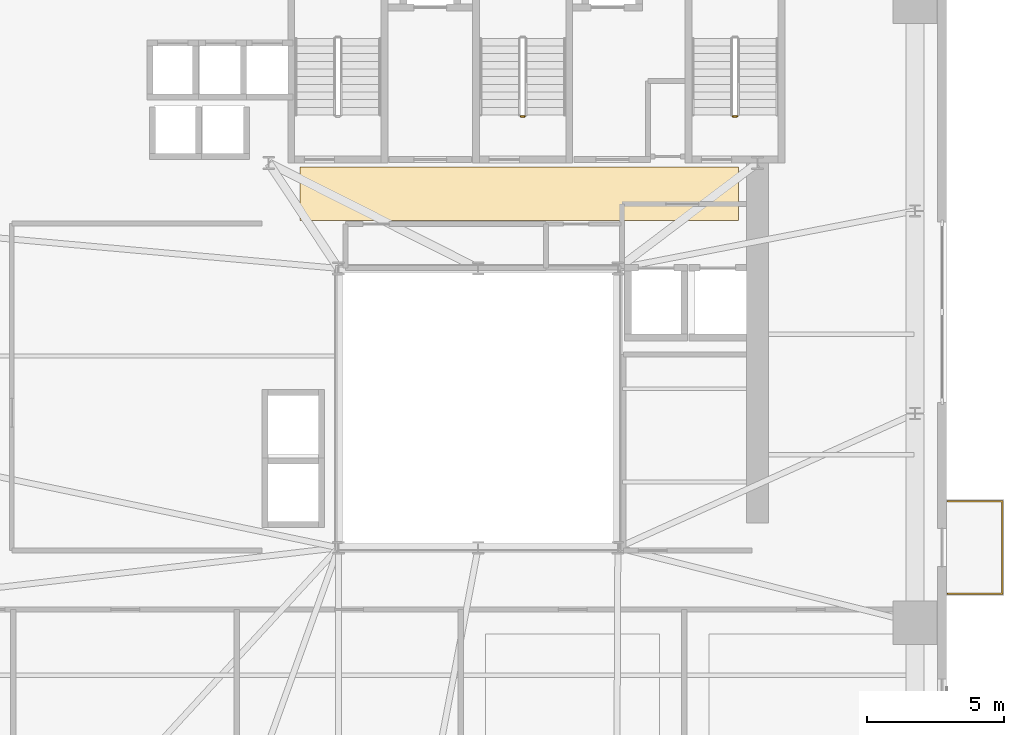
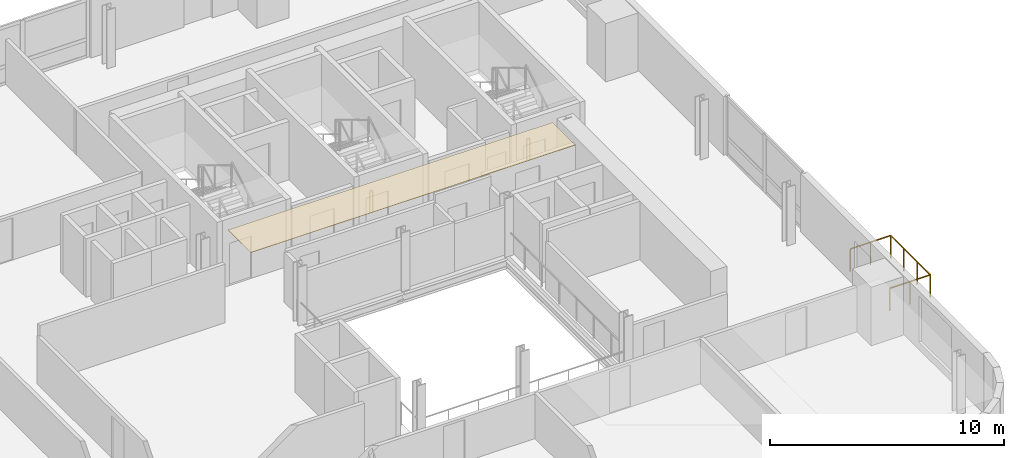
# One storey, part 12 of 14: 3 railings, 1 covering.
"""IFC4 building model written with IfcOpenShell, lengths in metres."""

from ifc_helpers import new_model, si_unit, direction, frame, origin, origin_2d, place, context, subcontext, project, spatial, polyline, rectangle, outline, extrude, source, transform, mapped, material, layer, layer_set, type_object, element, save


model = new_model("IFC4")

# Units and contexts
model_context = context("Model", 3, precision=1e-05, world=origin(), true_north=direction((0.0, 1.0)))
body_context = subcontext(model_context, "Body", "Model", "MODEL_VIEW")
ifc_project = project(units=[si_unit("LENGTHUNIT", "METRE"), si_unit("AREAUNIT", "SQUARE_METRE"), si_unit("VOLUMEUNIT", "CUBIC_METRE"), si_unit("PLANEANGLEUNIT", "RADIAN"), si_unit("MASSUNIT", "GRAM", prefix="KILO")], contexts=[model_context])

# Site, building, storey
site_placement = place(None, origin())
site = spatial("IfcSite", under=ifc_project, at=site_placement, CompositionType="ELEMENT")
building_placement = place(site_placement, origin())
building = spatial("IfcBuilding", under=site, at=building_placement, Name="Vardaveli Station Tower", CompositionType="ELEMENT")
storey_placement = place(building_placement, frame((0.0, 0.0, 163.10009765625)))
storey = spatial("IfcBuildingStorey", under=building, at=storey_placement, Name="L42", CompositionType="ELEMENT", Elevation=163.10009765625)

# Covering
ifc_material_1 = material(Name="Perforated acoustic mineral ceiling")
ifc_layer = layer(ifc_material_1, 0.02001953125, Name="Perforated acoustic mineral ceiling")
ifc_layer_set = layer_set([ifc_layer], Name="Perforated acoustic mineral ceiling")
covering_type = type_object("IfcCoveringType", Name="COV-CEIL-AC20", PredefinedType="CEILING", material=ifc_layer_set)
covering_placement = place(storey_placement, frame((0.0, 0.0, 3.034912109375)))
element("IfcCovering", 1, at=covering_placement, inside=storey, type_object=covering_type, Name="CEIL-L42-4", PredefinedType="CEILING", context=body_context, shape_type="SweptSolid", body=[
    extrude(outline(polyline([(29.800048828125, 28.550048828125), (45.800048828125, 28.550048828125), (45.800048828125, 30.5), (29.800048828125, 30.5), (29.800048828125, 28.550048828125)])), origin(), (0.0, 0.0, 1.0), 0.02001953125),
])

# Railings
ifc_material_2 = material(Name="Laminated glass and stainless steel balustrade", Category="steel")
railing_type_1 = type_object("IfcRailingType", Name="RL-BAL-1200", PredefinedType="BALUSTRADE", material=ifc_material_2)
shared_shape_1 = source(origin(), body_context, "Body", "SweptSolid", [
    extrude(rectangle(XDim=0.048095703125, YDim=0.048095703125, at=origin_2d()), frame((0.0, 0.0, 1.17578125), z_axis=(1.0, 0.0, 0.0), x_axis=(0.0, 1.0, 0.0)), (0.0, 0.0, 1.0), 2.0),
    extrude(rectangle(XDim=0.048095703125, YDim=0.048095703125, at=origin_2d()), frame((2.0, 0.0, 1.17578125), z_axis=(0.0, 1.0, 0.0), x_axis=(-1.0, 0.0, 0.0)), (0.0, 0.0, 1.0), 3.3798828125),
    extrude(rectangle(XDim=0.048095703125, YDim=0.048095703125, at=origin_2d()), frame((2.0, 3.3798828125, 1.17578125), z_axis=(-1.0, 0.0, 0.0), x_axis=(0.0, -1.0, 0.0)), (0.0, 0.0, 1.0), 2.0),
    extrude(rectangle(XDim=0.0419921875, YDim=0.0419921875, at=origin_2d()), origin(), (0.0, 0.0, 1.0), 1.15185546875),
    extrude(rectangle(XDim=0.0419921875, YDim=0.0419921875, at=origin_2d()), frame((1.0, 0.0, 0.0)), (0.0, 0.0, 1.0), 1.15185546875),
    extrude(rectangle(XDim=0.0419921875, YDim=0.0419921875, at=origin_2d()), frame((2.0, 0.0, 0.0)), (0.0, 0.0, 1.0), 1.15185546875),
    extrude(rectangle(XDim=0.0419921875, YDim=0.0419921875, at=origin_2d()), frame((2.0, 1.126708984375, 0.0)), (0.0, 0.0, 1.0), 1.15185546875),
    extrude(rectangle(XDim=0.0419921875, YDim=0.0419921875, at=origin_2d()), frame((2.0, 2.253173828125, 0.0)), (0.0, 0.0, 1.0), 1.15185546875),
    extrude(rectangle(XDim=0.0419921875, YDim=0.0419921875, at=origin_2d()), frame((2.0, 3.3798828125, 0.0)), (0.0, 0.0, 1.0), 1.15185546875),
    extrude(rectangle(XDim=0.0419921875, YDim=0.0419921875, at=origin_2d()), frame((1.0, 3.3798828125, 0.0)), (0.0, 0.0, 1.0), 1.15185546875),
    extrude(rectangle(XDim=0.0419921875, YDim=0.0419921875, at=origin_2d()), frame((0.0, 3.3798828125, 0.0)), (0.0, 0.0, 1.0), 1.15185546875),
])
railing_placement = place(storey_placement, frame((53.43994140625, 14.92041015625, 0.0)))
element("IfcRailing", 2, at=railing_placement, inside=storey, type_object=railing_type_1, Name="RL-LOG-L42-04", PredefinedType="BALUSTRADE", context=body_context, shape_type="MappedRepresentation", body=[
    mapped(shared_shape_1, transform((0.0, 0.0, 0.0), scale=1.0)),
])
ifc_material_3 = material(Name="Brushed AISI 316 stainless steel", Category="steel")
railing_type_2 = type_object("IfcRailingType", Name="RL-GUARD-1150", PredefinedType="GUARDRAIL", material=ifc_material_3)
shared_shape_2 = source(origin(), body_context, "Body", "SweptSolid", [
    extrude(rectangle(XDim=0.048095703125, YDim=0.048095703125, at=origin_2d()), frame((0.0, 0.0, 1.1259765625), z_axis=(-1.0, 0.0, 0.0), x_axis=(0.0, -1.0, 0.0)), (0.0, 0.0, 1.0), 0.14990234375),
    extrude(rectangle(XDim=0.0419921875, YDim=0.0419921875, at=origin_2d()), origin(), (0.0, 0.0, 1.0), 1.101806640625),
    extrude(rectangle(XDim=0.0419921875, YDim=0.0419921875, at=origin_2d()), frame((-0.14990234375, 0.0, 0.0)), (0.0, 0.0, 1.0), 1.101806640625),
])
for number, where, name in (
    (3, (38.0, 32.35009765625, 0.0), "L42 ST-2 stair guard 4"),
    (4, (45.75, 32.35009765625, 0.0), "L42 ST-3 stair guard 4"),
):
    element("IfcRailing", number, at=place(storey_placement, frame(where)), inside=storey, type_object=railing_type_2, Name=name, PredefinedType="GUARDRAIL", context=body_context, shape_type="MappedRepresentation", body=[
        mapped(shared_shape_2, transform((0.0, 0.0, 0.0), scale=1.0)),
    ])

save(model, "model.ifc")
